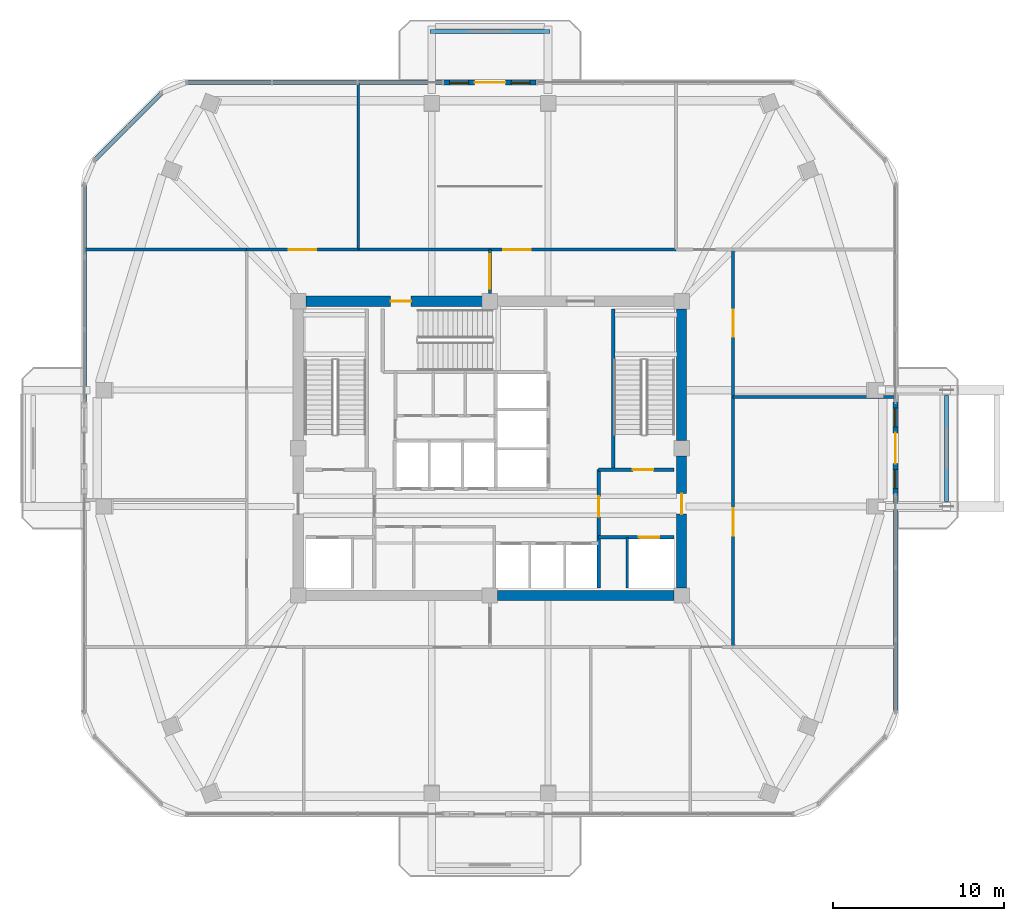
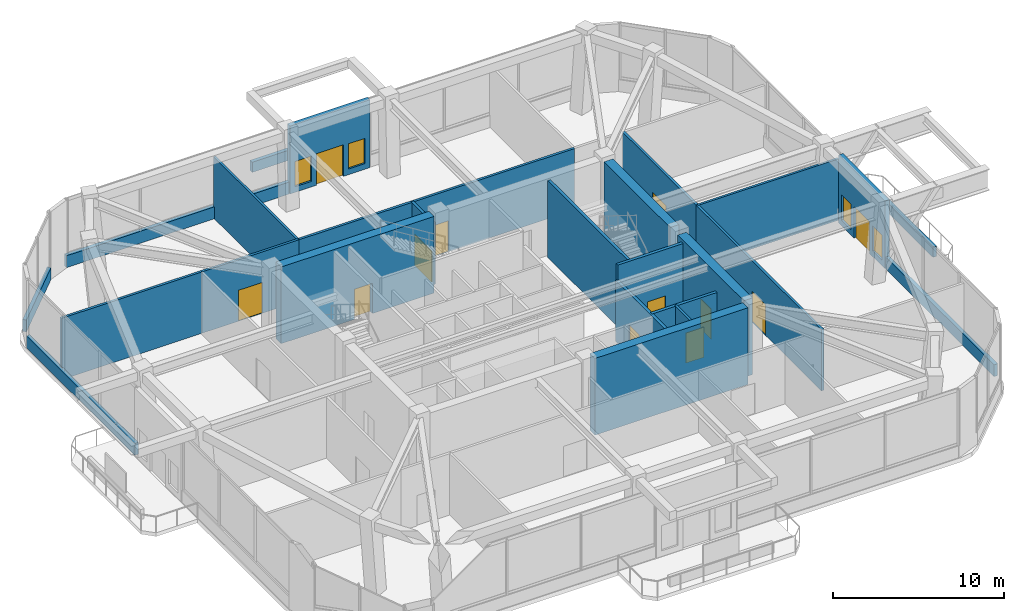
# One storey, part 10 of 14: 25 walls, 12 doors, 4 windows, 16 openings.
"""IFC4 building model written with IfcOpenShell, lengths in metres."""

from ifc_helpers import new_model, si_unit, derived_unit, direction, frame, frame_2d, origin, place, context, subcontext, project, spatial, rectangle, extrude, material, layer, layer_set, type_object, element, fill, save


model = new_model("IFC4")

# Units and contexts
model_context = context("Model", 3, precision=1e-05, world=origin(), true_north=direction((0.0, 1.0)))
body_context = subcontext(model_context, "Body", "Model", "MODEL_VIEW")
ifc_project = project(units=[si_unit("LENGTHUNIT", "METRE"), si_unit("AREAUNIT", "SQUARE_METRE"), si_unit("VOLUMEUNIT", "CUBIC_METRE"), si_unit("PLANEANGLEUNIT", "RADIAN"), si_unit("MASSUNIT", "GRAM", prefix="KILO"), derived_unit("THERMALTRANSMITTANCEUNIT", [(si_unit("POWERUNIT", "WATT"), 1), (si_unit("LENGTHUNIT", "METRE"), -2), (si_unit("THERMODYNAMICTEMPERATUREUNIT", "KELVIN"), -1)])], contexts=[model_context])

# Site, building, storey
site_placement = place(None, origin())
site = spatial("IfcSite", under=ifc_project, at=site_placement, CompositionType="ELEMENT")
building_placement = place(site_placement, origin())
building = spatial("IfcBuilding", under=site, at=building_placement, Name="Koralith Skygarden Medical Center", CompositionType="ELEMENT")
storey_placement = place(building_placement, frame((0.0, 0.0, 182.699951171875)))
storey = spatial("IfcBuildingStorey", under=building, at=storey_placement, Name="L47", CompositionType="ELEMENT", Elevation=182.699951171875)

# Walls
ifc_material_1 = material(Name="Gypsum Board Partition")
ifc_layer_1 = layer(ifc_material_1, 0.14990234375)
ifc_layer_set_1 = layer_set([ifc_layer_1], Name="Gypsum Board Partition")
wall_type_1 = type_object("IfcWallType", Name="Clinical Acoustic Partition 150", PredefinedType="PARTITIONING", material=ifc_layer_set_1)
wall_1_placement = place(storey_placement, frame((29.297119140625, 37.510009765625, 0.0), z_axis=(0.0, 0.0, 1.0), x_axis=(0.0, 1.0, 0.0)))
element("IfcWall", 1, at=wall_1_placement, inside=storey, type_object=wall_type_1, Name="L47 Clinical Acoustic Partition 150 W-AMPART-L47-N-1", PredefinedType="PARTITIONING", context=body_context, shape_type="SweptSolid", body=[
    extrude(rectangle(XDim=9.740966796875, YDim=0.14990234375, at=frame_2d((4.87060546875, 0.0))), origin(), (0.0, 0.0, 1.0), 4.3701171875),
])
wall_2_placement = place(storey_placement, frame((51.2099609375, 28.89990234375, 0.0), z_axis=(0.0, 0.0, 1.0), x_axis=(1.0, 0.0, 0.0)))
element("IfcWall", 2, at=wall_2_placement, inside=storey, type_object=wall_type_1, Name="L47 Clinical Acoustic Partition 150 W-AMPART-L47-E-1", PredefinedType="PARTITIONING", context=body_context, shape_type="SweptSolid", body=[
    extrude(rectangle(XDim=9.467041015625, YDim=0.14990234375, at=frame_2d((4.7333984375, 0.0))), origin(), (0.0, 0.0, 1.0), 4.3701171875),
])
ifc_layer_2 = layer(ifc_material_1, 0.1650390625)
ifc_layer_set_2 = layer_set([ifc_layer_2], Name="Gypsum Board Partition")
wall_type_2 = type_object("IfcWallType", Name="Clinical Corridor Partition 165", PredefinedType="PARTITIONING", material=ifc_layer_set_2)
wall_3_placement = place(storey_placement, frame((13.322998046875, 37.510009765625, 0.0), z_axis=(0.0, 0.0, 1.0), x_axis=(1.0, 0.0, 0.0)))
element("IfcWall", 3, at=wall_3_placement, inside=storey, type_object=wall_type_2, Name="L47 Clinical Corridor Partition 165 W-WB-L47-NW", PredefinedType="PARTITIONING", context=body_context, shape_type="SweptSolid", body=[
    extrude(rectangle(XDim=9.467041015625, YDim=0.1650390625, at=frame_2d((4.7333984375, 0.0))), origin(), (0.0, 0.0, 1.0), 4.3701171875),
])

# Wall, opening, door
wall_4_placement = place(storey_placement, frame((22.7900390625, 37.510009765625, 0.0), z_axis=(0.0, 0.0, 1.0), x_axis=(1.0, 0.0, 0.0)))
wall_4 = element("IfcWall", 4, at=wall_4_placement, inside=storey, type_object=wall_type_2, Name="L47 Clinical Corridor Partition 165 W-AMCOR-L47-N-1", PredefinedType="PARTITIONING", context=body_context, shape_type="SweptSolid", body=[
    extrude(rectangle(XDim=6.507080078125, YDim=0.1650390625, at=frame_2d((3.25341796875, 0.0))), origin(), (0.0, 0.0, 1.0), 4.3701171875),
])
opening_1_placement = place(wall_4_placement, frame((2.4541015625, 0.0, 0.0)))
opening_1 = element("IfcOpeningElement", 5, at=opening_1_placement, cuts=wall_4, Name="Opening D-DBL", PredefinedType="OPENING", context=body_context, shape_type="SweptSolid", body=[
    extrude(rectangle(XDim=1.60009765625, YDim=2.199951171875, at=frame_2d((0.800048828125, 1.10009765625))), frame((0.0, 0.092529296875, 0.0), z_axis=(0.0, -1.0, 0.0), x_axis=(1.0, 0.0, 0.0)), (0.0, 0.0, 1.0), 0.18505859375),
])
ifc_material_2 = material(Name="Aluminium 6063-T6", Category="aluminium")
door_type_1 = type_object("IfcDoorType", Name="Double Clinical Suite Door D-DBL 1600", OperationType="NOTDEFINED", PredefinedType="DOOR", material=ifc_material_2)
door_1_placement = place(opening_1_placement, origin())
door_1 = element("IfcDoor", 6, at=door_1_placement, inside=storey, type_object=door_type_1, Name="L47 Upper Sky-Lobby Concierge Hall Door", OperationType="DOUBLE_DOOR_SINGLE_SWING", OverallHeight=2.199951171875, OverallWidth=1.60009765625, PredefinedType="DOOR", context=body_context, shape_type="SweptSolid", body=[
    extrude(rectangle(XDim=1.60009765625, YDim=2.199951171875, at=frame_2d((0.800048828125, 1.10009765625))), frame((0.0, 0.02490234375, 0.0), z_axis=(0.0, -1.0, 0.0), x_axis=(1.0, 0.0, 0.0)), (0.0, 0.0, 1.0), 0.050048828125),
])
fill(opening_1, door_1)

wall_5_placement = place(storey_placement, frame((29.297119140625, 37.510009765625, 0.0), z_axis=(0.0, 0.0, 1.0), x_axis=(1.0, 0.0, 0.0)))
wall_5 = element("IfcWall", 7, at=wall_5_placement, inside=storey, type_object=wall_type_2, Name="L47 Clinical Corridor Partition 165 W-AMCOR-L47-N-2", PredefinedType="PARTITIONING", context=body_context, shape_type="SweptSolid", body=[
    extrude(rectangle(XDim=18.577880859375, YDim=0.1650390625, at=frame_2d((9.2890625, 0.0))), origin(), (0.0, 0.0, 1.0), 4.3701171875),
])
opening_2_placement = place(wall_5_placement, frame((8.489013671875, 0.0, 0.0)))
opening_2 = element("IfcOpeningElement", 8, at=opening_2_placement, cuts=wall_5, Name="Opening D-DBL", PredefinedType="OPENING", context=body_context, shape_type="SweptSolid", body=[
    extrude(rectangle(XDim=1.60009765625, YDim=2.199951171875, at=frame_2d((0.800048828125, 1.10009765625))), frame((0.0, 0.092529296875, 0.0), z_axis=(0.0, -1.0, 0.0), x_axis=(1.0, 0.0, 0.0)), (0.0, 0.0, 1.0), 0.18505859375),
])
door_2_placement = place(opening_2_placement, origin())
door_2 = element("IfcDoor", 9, at=door_2_placement, inside=storey, type_object=door_type_1, Name="L47 Upper Biophilic Sky-Garden Lounge Door", OperationType="DOUBLE_DOOR_SINGLE_SWING", OverallHeight=2.199951171875, OverallWidth=1.60009765625, PredefinedType="DOOR", context=body_context, shape_type="SweptSolid", body=[
    extrude(rectangle(XDim=1.60009765625, YDim=2.199951171875, at=frame_2d((0.800048828125, 1.10009765625))), frame((0.0, 0.02490234375, 0.0), z_axis=(0.0, -1.0, 0.0), x_axis=(1.0, 0.0, 0.0)), (0.0, 0.0, 1.0), 0.050048828125),
])
fill(opening_2, door_2)

wall_6_placement = place(storey_placement, frame((51.2099609375, 14.2900390625, 0.0), z_axis=(0.0, 0.0, 1.0), x_axis=(0.0, 1.0, 0.0)))
wall_6 = element("IfcWall", 10, at=wall_6_placement, inside=storey, type_object=wall_type_2, Name="L47 Clinical Corridor Partition 165 W-AMCOR-L47-E-1", PredefinedType="PARTITIONING", context=body_context, shape_type="SweptSolid", body=[
    extrude(rectangle(XDim=14.60986328125, YDim=0.1650390625, at=frame_2d((7.304931640625, 0.0))), origin(), (0.0, 0.0, 1.0), 4.3701171875),
])
opening_3_placement = place(wall_6_placement, frame((6.5048828125, 0.0, 0.0)))
opening_3 = element("IfcOpeningElement", 11, at=opening_3_placement, cuts=wall_6, Name="Opening D-DBL", PredefinedType="OPENING", context=body_context, shape_type="SweptSolid", body=[
    extrude(rectangle(XDim=1.60009765625, YDim=2.199951171875, at=frame_2d((0.800048828125, 1.10009765625))), frame((0.0, 0.092529296875, 0.0), z_axis=(0.0, -1.0, 0.0), x_axis=(1.0, 0.0, 0.0)), (0.0, 0.0, 1.0), 0.18505859375),
])
door_3_placement = place(opening_3_placement, origin())
door_3 = element("IfcDoor", 12, at=door_3_placement, inside=storey, type_object=door_type_1, Name="L47 East Sky-Garden Verandah Lounge Door", OperationType="DOUBLE_DOOR_SINGLE_SWING", OverallHeight=2.199951171875, OverallWidth=1.60009765625, PredefinedType="DOOR", context=body_context, shape_type="SweptSolid", body=[
    extrude(rectangle(XDim=1.60009765625, YDim=2.199951171875, at=frame_2d((0.800048828125, 1.10009765625))), frame((0.0, 0.02490234375, 0.0), z_axis=(0.0, -1.0, 0.0), x_axis=(1.0, 0.0, 0.0)), (0.0, 0.0, 1.0), 0.050048828125),
])
fill(opening_3, door_3)

wall_7_placement = place(storey_placement, frame((51.2099609375, 28.89990234375, 0.0), z_axis=(0.0, 0.0, 1.0), x_axis=(0.0, 1.0, 0.0)))
wall_7 = element("IfcWall", 13, at=wall_7_placement, inside=storey, type_object=wall_type_2, Name="L47 Clinical Corridor Partition 165 W-AMCOR-L47-E-2", PredefinedType="PARTITIONING", context=body_context, shape_type="SweptSolid", body=[
    extrude(rectangle(XDim=8.610107421875, YDim=0.1650390625, at=frame_2d((4.30517578125, 0.0))), origin(), (0.0, 0.0, 1.0), 4.3701171875),
])
opening_4_placement = place(wall_7_placement, frame((3.5048828125, 0.0, 0.0)))
opening_4 = element("IfcOpeningElement", 14, at=opening_4_placement, cuts=wall_7, Name="Opening D-DBL", PredefinedType="OPENING", context=body_context, shape_type="SweptSolid", body=[
    extrude(rectangle(XDim=1.60009765625, YDim=2.199951171875, at=frame_2d((0.800048828125, 1.10009765625))), frame((0.0, 0.092529296875, 0.0), z_axis=(0.0, -1.0, 0.0), x_axis=(1.0, 0.0, 0.0)), (0.0, 0.0, 1.0), 0.18505859375),
])
door_4_placement = place(opening_4_placement, origin())
door_4 = element("IfcDoor", 15, at=door_4_placement, inside=storey, type_object=door_type_1, Name="L47 Resident Teaching Huddle Room Door", OperationType="DOUBLE_DOOR_SINGLE_SWING", OverallHeight=2.199951171875, OverallWidth=1.60009765625, PredefinedType="DOOR", context=body_context, shape_type="SweptSolid", body=[
    extrude(rectangle(XDim=1.60009765625, YDim=2.199951171875, at=frame_2d((0.800048828125, 1.10009765625))), frame((0.0, 0.02490234375, 0.0), z_axis=(0.0, -1.0, 0.0), x_axis=(1.0, 0.0, 0.0)), (0.0, 0.0, 1.0), 0.050048828125),
])
fill(opening_4, door_4)

ifc_layer_3 = layer(ifc_material_1, 0.199951171875)
ifc_layer_set_3 = layer_set([ifc_layer_3], Name="Gypsum Board Partition")
wall_type_3 = type_object("IfcWallType", Name="Fire Shaft Wall 200", PredefinedType="SOLIDWALL", material=ifc_layer_set_3)
wall_8_placement = place(storey_placement, frame((43.35009765625, 20.699951171875, 0.0), z_axis=(0.0, 0.0, 1.0), x_axis=(1.0, 0.0, 0.0)))
wall_8 = element("IfcWall", 16, at=wall_8_placement, inside=storey, type_object=wall_type_3, Name="L47 Fire Shaft Wall 200 W-CORE-L47-FF2-N", PredefinedType="SOLIDWALL", context=body_context, shape_type="SweptSolid", body=[
    extrude(rectangle(XDim=4.39990234375, YDim=0.199951171875, at=frame_2d((2.199951171875, 0.0))), origin(), (0.0, 0.0, 1.0), 4.3701171875),
])
opening_5_placement = place(wall_8_placement, frame((2.35009765625, 0.0, 0.0)))
opening_5 = element("IfcOpeningElement", 17, at=opening_5_placement, cuts=wall_8, Name="Opening LD-FF", PredefinedType="OPENING", context=body_context, shape_type="SweptSolid", body=[
    extrude(rectangle(XDim=1.199951171875, YDim=2.14990234375, at=frame_2d((0.60009765625, 1.074951171875))), frame((0.0, 0.10986328125, 0.0), z_axis=(0.0, -1.0, 0.0), x_axis=(1.0, 0.0, 0.0)), (0.0, 0.0, 1.0), 0.219970703125),
])
ifc_material_3 = material(Name="Steel ASTM A500 Grade C", Category="steel")
door_type_2 = type_object("IfcDoorType", Name="Fire Lift Sliding Landing Door LD-FF 1200", OperationType="NOTDEFINED", PredefinedType="DOOR", material=ifc_material_3)
door_5_placement = place(opening_5_placement, origin())
door_5 = element("IfcDoor", 18, at=door_5_placement, inside=storey, type_object=door_type_2, Name="L47 Fire Service Elevator FF2 Landing Door", OperationType="SLIDING_TO_RIGHT", OverallHeight=2.14990234375, OverallWidth=1.199951171875, PredefinedType="DOOR", context=body_context, shape_type="SweptSolid", body=[
    extrude(rectangle(XDim=1.199951171875, YDim=2.14990234375, at=frame_2d((0.60009765625, 1.074951171875))), frame((0.0, 0.02490234375, 0.0), z_axis=(0.0, -1.0, 0.0), x_axis=(1.0, 0.0, 0.0)), (0.0, 0.0, 1.0), 0.050048828125),
])
fill(opening_5, door_5)

wall_9_placement = place(storey_placement, frame((43.35009765625, 17.75, 0.0), z_axis=(0.0, 0.0, 1.0), x_axis=(0.0, 1.0, 0.0)))
wall_9 = element("IfcWall", 19, at=wall_9_placement, inside=storey, type_object=wall_type_3, Name="L47 Fire Shaft Wall 200 W-CORE-L47-FSAEE-W", PredefinedType="SOLIDWALL", context=body_context, shape_type="SweptSolid", body=[
    extrude(rectangle(XDim=6.89990234375, YDim=0.199951171875, at=frame_2d((3.449951171875, 0.0))), origin(), (0.0, 0.0, 1.0), 4.3701171875),
])
opening_6_placement = place(wall_9_placement, frame((4.14990234375, 0.0, 0.0)))
opening_6 = element("IfcOpeningElement", 20, at=opening_6_placement, cuts=wall_9, Name="Opening D-ST60", PredefinedType="OPENING", context=body_context, shape_type="SweptSolid", body=[
    extrude(rectangle(XDim=1.199951171875, YDim=2.14990234375, at=frame_2d((0.60009765625, 1.074951171875))), frame((0.0, 0.10986328125, 0.0), z_axis=(0.0, -1.0, 0.0), x_axis=(1.0, 0.0, 0.0)), (0.0, 0.0, 1.0), 0.219970703125),
])
door_type_3 = type_object("IfcDoorType", Name="Smokeproof Stair Fire Door FD60S 1200", OperationType="NOTDEFINED", PredefinedType="DOOR", material=ifc_material_3)
door_6_placement = place(opening_6_placement, frame((1.199951171875, 0.0, 0.0), z_axis=(0.0, 0.0, 1.0), x_axis=(-1.0, 0.0, 0.0)))
door_6 = element("IfcDoor", 21, at=door_6_placement, inside=storey, type_object=door_type_3, Name="L47 East Firefighting Lobby Inner Fire Door", OperationType="SINGLE_SWING_RIGHT", OverallHeight=2.14990234375, OverallWidth=1.199951171875, PredefinedType="DOOR", context=body_context, shape_type="SweptSolid", body=[
    extrude(rectangle(XDim=1.199951171875, YDim=2.14990234375, at=frame_2d((0.60009765625, 1.074951171875))), frame((0.0, 0.02490234375, 0.0), z_axis=(0.0, -1.0, 0.0), x_axis=(1.0, 0.0, 0.0)), (0.0, 0.0, 1.0), 0.050048828125),
])
fill(opening_6, door_6)

ifc_layer_4 = layer(ifc_material_1, 0.179931640625)
ifc_layer_set_4 = layer_set([ifc_layer_4], Name="Gypsum Board Partition")
wall_type_4 = type_object("IfcWallType", Name="Group I-2 Smoke Barrier Wall 180", PredefinedType="PARTITIONING", material=ifc_layer_set_4)
wall_10_placement = place(storey_placement, frame((37.0, 34.949951171875, 0.0), z_axis=(0.0, 0.0, 1.0), x_axis=(0.0, 1.0, 0.0)))
wall_10 = element("IfcWall", 22, at=wall_10_placement, inside=storey, type_object=wall_type_4, Name="L47 Group I-2 Smoke Barrier Wall 180 W-SMK-L47-N", PredefinedType="PARTITIONING", context=body_context, shape_type="SweptSolid", body=[
    extrude(rectangle(XDim=2.56005859375, YDim=0.179931640625, at=frame_2d((1.280029296875, 0.0))), origin(), (0.0, 0.0, 1.0), 4.3701171875),
])
opening_7_placement = place(wall_10_placement, frame((0.280029296875, 0.0, 0.0)))
opening_7 = element("IfcOpeningElement", 23, at=opening_7_placement, cuts=wall_10, Name="Opening D-SMK", PredefinedType="OPENING", context=body_context, shape_type="SweptSolid", body=[
    extrude(rectangle(XDim=2.0, YDim=2.199951171875, at=frame_2d((1.0, 1.10009765625))), frame((0.0, 0.099853515625, 0.0), z_axis=(0.0, -1.0, 0.0), x_axis=(1.0, 0.0, 0.0)), (0.0, 0.0, 1.0), 0.199951171875),
])
door_type_4 = type_object("IfcDoorType", Name="Cross-Corridor Double Smoke Door FD60S 2000", OperationType="NOTDEFINED", PredefinedType="DOOR", material=ifc_material_3)
door_7_placement = place(opening_7_placement, origin())
door_7 = element("IfcDoor", 24, at=door_7_placement, inside=storey, type_object=door_type_4, Name="L47 N Smoke Compartment Cross-Corridor Door", OperationType="DOUBLE_DOOR_SINGLE_SWING", OverallHeight=2.199951171875, OverallWidth=2.0, PredefinedType="DOOR", context=body_context, shape_type="SweptSolid", body=[
    extrude(rectangle(XDim=2.0, YDim=2.199951171875, at=frame_2d((1.0, 1.10009765625))), frame((0.0, 0.02490234375, 0.0), z_axis=(0.0, -1.0, 0.0), x_axis=(1.0, 0.0, 0.0)), (0.0, 0.0, 1.0), 0.050048828125),
])
fill(opening_7, door_7)

# Walls
ifc_material_4 = material(Name="Warm Oolitic Limestone Cladding", Category="masonry")
ifc_layer_5 = layer(ifc_material_4, 0.239990234375)
ifc_layer_set_5 = layer_set([ifc_layer_5], Name="Warm Oolitic Limestone Cladding")
wall_type_5 = type_object("IfcWallType", Name="Limestone Spandrel Sill Backup Wall 240", PredefinedType="SOLIDWALL", material=ifc_layer_set_5)
wall_11_placement = place(storey_placement, frame((60.697021484375, 10.5048828125, 0.0), z_axis=(0.0, 0.0, 1.0), x_axis=(0.0, 1.0, 0.0)))
element("IfcWall", 25, at=wall_11_placement, inside=storey, type_object=wall_type_5, Name="L47 Sill Spandrel E-L", PredefinedType="SOLIDWALL", context=body_context, shape_type="SweptSolid", body=[
    extrude(rectangle(XDim=12.655029296875, YDim=0.239990234375, at=frame_2d((6.32763671875, 0.0))), origin(), (0.0, 0.0, 1.0), 0.85009765625),
])
wall_12_placement = place(storey_placement, frame((34.260986328125, 47.27001953125, 0.0), z_axis=(0.0, 0.0, 1.0), x_axis=(-1.0, 0.0, 0.0)))
element("IfcWall", 26, at=wall_12_placement, inside=storey, type_object=wall_type_5, Name="L47 Sill Spandrel N-R", PredefinedType="SOLIDWALL", context=body_context, shape_type="SweptSolid", body=[
    extrude(rectangle(XDim=14.98291015625, YDim=0.239990234375, at=frame_2d((7.491455078125, 0.0))), origin(), (0.0, 0.0, 1.0), 0.85009765625),
])
wall_13_placement = place(storey_placement, frame((17.826904296875, 46.6689453125, 0.0), z_axis=(0.0, 0.0, 1.0), x_axis=(-0.707106781187, -0.707106781187, 0.0)))
element("IfcWall", 27, at=wall_13_placement, inside=storey, type_object=wall_type_5, Name="L47 Sill Spandrel NW", PredefinedType="SOLIDWALL", context=body_context, shape_type="SweptSolid", body=[
    extrude(rectangle(XDim=5.5478515625, YDim=0.239990234375, at=frame_2d((2.77392578125, 0.0))), origin(), (0.0, 0.0, 1.0), 0.85009765625),
])
wall_14_placement = place(storey_placement, frame((13.302978515625, 41.294921875, 0.0), z_axis=(0.0, 0.0, 1.0), x_axis=(0.0, -1.0, 0.0)))
element("IfcWall", 28, at=wall_14_placement, inside=storey, type_object=wall_type_5, Name="L47 Sill Spandrel W-L", PredefinedType="SOLIDWALL", context=body_context, shape_type="SweptSolid", body=[
    extrude(rectangle(XDim=12.655029296875, YDim=0.239990234375, at=frame_2d((6.32763671875, 0.0))), origin(), (0.0, 0.0, 1.0), 0.85009765625),
])

# Wall, openings, door, windows
ifc_layer_6 = layer(ifc_material_4, 0.300048828125)
ifc_layer_set_6 = layer_set([ifc_layer_6], Name="Warm Oolitic Limestone Cladding")
wall_type_6 = type_object("IfcWallType", Name="Oolitic Limestone Insulated Facade Wall 300", PredefinedType="SOLIDWALL", material=ifc_layer_set_6)
wall_15_placement = place(storey_placement, frame((60.697021484375, 23.199951171875, 0.0), z_axis=(0.0, 0.0, 1.0), x_axis=(0.0, 1.0, 0.0)))
wall_15 = element("IfcWall", 29, at=wall_15_placement, inside=storey, type_object=wall_type_6, Name="L47 Terrace Portal Wall E", PredefinedType="SOLIDWALL", context=body_context, shape_type="SweptSolid", body=[
    extrude(rectangle(XDim=5.400146484375, YDim=0.300048828125, at=frame_2d((2.7001953125, 0.0))), origin(), (0.0, 0.0, 1.0), 4.830078125),
])
opening_8_placement = place(wall_15_placement, frame((1.800048828125, 0.0, 0.0)))
opening_8 = element("IfcOpeningElement", 30, at=opening_8_placement, cuts=wall_15, Name="Opening D-SG", PredefinedType="OPENING", context=body_context, shape_type="SweptSolid", body=[
    extrude(rectangle(XDim=1.800048828125, YDim=2.25, at=frame_2d((0.89990234375, 1.125))), frame((0.0, 0.159912109375, 0.0), z_axis=(0.0, -1.0, 0.0), x_axis=(1.0, 0.0, 0.0)), (0.0, 0.0, 1.0), 0.320068359375),
])
opening_9_placement = place(wall_15_placement, frame((0.35009765625, 0.0, 0.39990234375)))
opening_9 = element("IfcOpeningElement", 31, at=opening_9_placement, cuts=wall_15, Name="Opening W-04", PredefinedType="OPENING", context=body_context, shape_type="SweptSolid", body=[
    extrude(rectangle(XDim=1.10009765625, YDim=1.800048828125, at=frame_2d((0.550048828125, 0.89990234375))), frame((0.0, 0.159912109375, 0.0), z_axis=(0.0, -1.0, 0.0), x_axis=(1.0, 0.0, 0.0)), (0.0, 0.0, 1.0), 0.320068359375),
])
opening_10_placement = place(wall_15_placement, frame((3.949951171875, 0.0, 0.39990234375)))
opening_10 = element("IfcOpeningElement", 32, at=opening_10_placement, cuts=wall_15, Name="Opening W-04", PredefinedType="OPENING", context=body_context, shape_type="SweptSolid", body=[
    extrude(rectangle(XDim=1.10009765625, YDim=1.800048828125, at=frame_2d((0.550048828125, 0.89990234375))), frame((0.0, 0.159912109375, 0.0), z_axis=(0.0, -1.0, 0.0), x_axis=(1.0, 0.0, 0.0)), (0.0, 0.0, 1.0), 0.320068359375),
])
door_type_5 = type_object("IfcDoorType", Name="Sky-Garden Double Terrace Door D-SG 1800", OperationType="NOTDEFINED", PredefinedType="DOOR", material=ifc_material_2)
door_8_placement = place(opening_8_placement, origin())
door_8 = element("IfcDoor", 33, at=door_8_placement, inside=storey, type_object=door_type_5, Name="L47 E Outdoor Terrace Access Door", OperationType="DOUBLE_DOOR_SINGLE_SWING", OverallHeight=2.25, OverallWidth=1.800048828125, PredefinedType="DOOR", context=body_context, shape_type="SweptSolid", body=[
    extrude(rectangle(XDim=1.800048828125, YDim=2.25, at=frame_2d((0.89990234375, 1.125))), frame((0.0, 0.02490234375, 0.0), z_axis=(0.0, -1.0, 0.0), x_axis=(1.0, 0.0, 0.0)), (0.0, 0.0, 1.0), 0.050048828125),
])
fill(opening_8, door_8)
ifc_material_5 = material(Name="Clear Laminated Glass", Category="glass")
window_type = type_object("IfcWindowType", Name="Sky-Garden Portal Sidelight Window W-04 1100x1800", PartitioningType="SINGLE_PANEL", PredefinedType="WINDOW", material=ifc_material_5)
window_1_placement = place(opening_9_placement, origin())
window_1 = element("IfcWindow", 34, at=window_1_placement, inside=storey, type_object=window_type, Name="L47 E Portal Sidelight 1", OverallHeight=1.800048828125, OverallWidth=1.10009765625, PartitioningType="SINGLE_PANEL", PredefinedType="WINDOW", context=body_context, shape_type="SweptSolid", body=[
    extrude(rectangle(XDim=1.10009765625, YDim=1.800048828125, at=frame_2d((0.550048828125, 0.89990234375))), frame((0.0, 0.030029296875, 0.0), z_axis=(0.0, -1.0, 0.0), x_axis=(1.0, 0.0, 0.0)), (0.0, 0.0, 1.0), 0.06005859375),
])
fill(opening_9, window_1)
window_2_placement = place(opening_10_placement, origin())
window_2 = element("IfcWindow", 35, at=window_2_placement, inside=storey, type_object=window_type, Name="L47 E Portal Sidelight 2", OverallHeight=1.800048828125, OverallWidth=1.10009765625, PartitioningType="SINGLE_PANEL", PredefinedType="WINDOW", context=body_context, shape_type="SweptSolid", body=[
    extrude(rectangle(XDim=1.10009765625, YDim=1.800048828125, at=frame_2d((0.550048828125, 0.89990234375))), frame((0.0, 0.030029296875, 0.0), z_axis=(0.0, -1.0, 0.0), x_axis=(1.0, 0.0, 0.0)), (0.0, 0.0, 1.0), 0.06005859375),
])
fill(opening_10, window_2)

wall_16_placement = place(storey_placement, frame((39.700927734375, 47.27001953125, 0.0), z_axis=(0.0, 0.0, 1.0), x_axis=(-1.0, 0.0, 0.0)))
wall_16 = element("IfcWall", 36, at=wall_16_placement, inside=storey, type_object=wall_type_6, Name="L47 Terrace Portal Wall N", PredefinedType="SOLIDWALL", context=body_context, shape_type="SweptSolid", body=[
    extrude(rectangle(XDim=5.39990234375, YDim=0.300048828125, at=frame_2d((2.699951171875, 0.0))), origin(), (0.0, 0.0, 1.0), 4.830078125),
])
opening_11_placement = place(wall_16_placement, frame((1.800048828125, 0.0, 0.0)))
opening_11 = element("IfcOpeningElement", 37, at=opening_11_placement, cuts=wall_16, Name="Opening D-SG", PredefinedType="OPENING", context=body_context, shape_type="SweptSolid", body=[
    extrude(rectangle(XDim=1.800048828125, YDim=2.25, at=frame_2d((0.89990234375, 1.125))), frame((0.0, 0.159912109375, 0.0), z_axis=(0.0, -1.0, 0.0), x_axis=(1.0, 0.0, 0.0)), (0.0, 0.0, 1.0), 0.320068359375),
])
opening_12_placement = place(wall_16_placement, frame((0.35009765625, 0.0, 0.39990234375)))
opening_12 = element("IfcOpeningElement", 38, at=opening_12_placement, cuts=wall_16, Name="Opening W-04", PredefinedType="OPENING", context=body_context, shape_type="SweptSolid", body=[
    extrude(rectangle(XDim=1.10009765625, YDim=1.800048828125, at=frame_2d((0.550048828125, 0.89990234375))), frame((0.0, 0.159912109375, 0.0), z_axis=(0.0, -1.0, 0.0), x_axis=(1.0, 0.0, 0.0)), (0.0, 0.0, 1.0), 0.320068359375),
])
opening_13_placement = place(wall_16_placement, frame((3.949951171875, 0.0, 0.39990234375)))
opening_13 = element("IfcOpeningElement", 39, at=opening_13_placement, cuts=wall_16, Name="Opening W-04", PredefinedType="OPENING", context=body_context, shape_type="SweptSolid", body=[
    extrude(rectangle(XDim=1.10009765625, YDim=1.800048828125, at=frame_2d((0.550048828125, 0.89990234375))), frame((0.0, 0.159912109375, 0.0), z_axis=(0.0, -1.0, 0.0), x_axis=(1.0, 0.0, 0.0)), (0.0, 0.0, 1.0), 0.320068359375),
])
door_9_placement = place(opening_11_placement, origin())
door_9 = element("IfcDoor", 40, at=door_9_placement, inside=storey, type_object=door_type_5, Name="L47 N Outdoor Terrace Access Door", OperationType="DOUBLE_DOOR_SINGLE_SWING", OverallHeight=2.25, OverallWidth=1.800048828125, PredefinedType="DOOR", context=body_context, shape_type="SweptSolid", body=[
    extrude(rectangle(XDim=1.800048828125, YDim=2.25, at=frame_2d((0.89990234375, 1.125))), frame((0.0, 0.02490234375, 0.0), z_axis=(0.0, -1.0, 0.0), x_axis=(1.0, 0.0, 0.0)), (0.0, 0.0, 1.0), 0.050048828125),
])
fill(opening_11, door_9)
window_3_placement = place(opening_12_placement, origin())
window_3 = element("IfcWindow", 41, at=window_3_placement, inside=storey, type_object=window_type, Name="L47 N Portal Sidelight 1", OverallHeight=1.800048828125, OverallWidth=1.10009765625, PartitioningType="SINGLE_PANEL", PredefinedType="WINDOW", context=body_context, shape_type="SweptSolid", body=[
    extrude(rectangle(XDim=1.10009765625, YDim=1.800048828125, at=frame_2d((0.550048828125, 0.89990234375))), frame((0.0, 0.030029296875, 0.0), z_axis=(0.0, -1.0, 0.0), x_axis=(1.0, 0.0, 0.0)), (0.0, 0.0, 1.0), 0.06005859375),
])
fill(opening_12, window_3)
window_4_placement = place(opening_13_placement, origin())
window_4 = element("IfcWindow", 42, at=window_4_placement, inside=storey, type_object=window_type, Name="L47 N Portal Sidelight 2", OverallHeight=1.800048828125, OverallWidth=1.10009765625, PartitioningType="SINGLE_PANEL", PredefinedType="WINDOW", context=body_context, shape_type="SweptSolid", body=[
    extrude(rectangle(XDim=1.10009765625, YDim=1.800048828125, at=frame_2d((0.550048828125, 0.89990234375))), frame((0.0, 0.030029296875, 0.0), z_axis=(0.0, -1.0, 0.0), x_axis=(1.0, 0.0, 0.0)), (0.0, 0.0, 1.0), 0.06005859375),
])
fill(opening_13, window_4)

# Walls
ifc_layer_7 = layer(ifc_material_1, 0.14990234375)
ifc_layer_set_7 = layer_set([ifc_layer_7], Name="Gypsum Board Partition")
wall_type_7 = type_object("IfcWallType", Name="Shaft Partition Wall 150", PredefinedType="PARTITIONING", material=ifc_layer_set_7)
wall_17_placement = place(storey_placement, frame((45.02001953125, 17.75, 0.0), z_axis=(0.0, 0.0, 1.0), x_axis=(0.0, 1.0, 0.0)))
element("IfcWall", 43, at=wall_17_placement, inside=storey, type_object=wall_type_7, Name="L47 Shaft Partition Wall 150 W-CORE-L47-RSRE-DIV", PredefinedType="PARTITIONING", context=body_context, shape_type="SweptSolid", body=[
    extrude(rectangle(XDim=2.949951171875, YDim=0.14990234375, at=frame_2d((1.47509765625, 0.0))), origin(), (0.0, 0.0, 1.0), 4.3701171875),
])
ifc_material_6 = material(Name="Precast concrete C40/50", Category="concrete")
ifc_layer_8 = layer(ifc_material_6, 0.25)
ifc_layer_set_8 = layer_set([ifc_layer_8], Name="Precast concrete C40/50")
wall_type_8 = type_object("IfcWallType", Name="Structural Concrete Balcony Planter Kerb 250", PredefinedType="PARAPET", material=ifc_layer_set_8)
wall_18_placement = place(storey_placement, frame((33.5, 50.2509765625, 0.0), z_axis=(0.0, 0.0, 1.0), x_axis=(1.0, 0.0, 0.0)))
element("IfcWall", 44, at=wall_18_placement, inside=storey, type_object=wall_type_8, Name="L47 N Structural Tree PLANTER Box", PredefinedType="PARAPET", context=body_context, shape_type="SweptSolid", body=[
    extrude(rectangle(XDim=7.0, YDim=0.25, at=frame_2d((3.5, 0.0))), origin(), (0.0, 0.0, 1.0), 0.719970703125),
])
wall_19_placement = place(storey_placement, frame((63.677001953125, 22.800048828125, 0.0), z_axis=(0.0, 0.0, 1.0), x_axis=(0.0, 1.0, 0.0)))
element("IfcWall", 45, at=wall_19_placement, inside=storey, type_object=wall_type_8, Name="L47 E Structural Tree PLANTER Box", PredefinedType="PARAPET", context=body_context, shape_type="SweptSolid", body=[
    extrude(rectangle(XDim=6.199951171875, YDim=0.25, at=frame_2d((3.10009765625, 0.0))), origin(), (0.0, 0.0, 1.0), 0.719970703125),
])
ifc_material_7 = material(Name="Concrete C45/55", Category="concrete")
ifc_layer_9 = layer(ifc_material_7, 0.199951171875)
ifc_layer_set_9 = layer_set([ifc_layer_9], Name="Concrete C45/55")
wall_type_9 = type_object("IfcWallType", Name="Structural Stair Shaft Wall 200", PredefinedType="SHEAR", material=ifc_layer_set_9)
wall_20_placement = place(storey_placement, frame((44.199951171875, 24.64990234375, 0.0), z_axis=(0.0, 0.0, 1.0), x_axis=(0.0, 1.0, 0.0)))
element("IfcWall", 46, at=wall_20_placement, inside=storey, type_object=wall_type_9, Name="L47 Structural Stair Shaft Wall 200 W-CORE-L47-ST2-W", PredefinedType="SHEAR", context=body_context, shape_type="SweptSolid", body=[
    extrude(rectangle(XDim=9.400146484375, YDim=0.199951171875, at=frame_2d((4.7001953125, 0.0))), origin(), (0.0, 0.0, 1.0), 5.4599609375),
])

# Wall, opening, door
wall_21_placement = place(storey_placement, frame((43.35009765625, 24.64990234375, 0.0), z_axis=(0.0, 0.0, 1.0), x_axis=(1.0, 0.0, 0.0)))
wall_21 = element("IfcWall", 47, at=wall_21_placement, inside=storey, type_object=wall_type_9, Name="L47 Structural Stair Shaft Wall 200 W-CORE-L47-ST2-S", PredefinedType="SHEAR", context=body_context, shape_type="SweptSolid", body=[
    extrude(rectangle(XDim=4.39990234375, YDim=0.199951171875, at=frame_2d((2.199951171875, 0.0))), origin(), (0.0, 0.0, 1.0), 5.4599609375),
])
opening_14_placement = place(wall_21_placement, frame((2.0, 0.0, 0.0)))
opening_14 = element("IfcOpeningElement", 48, at=opening_14_placement, cuts=wall_21, Name="Opening D-ST60", PredefinedType="OPENING", context=body_context, shape_type="SweptSolid", body=[
    extrude(rectangle(XDim=1.199951171875, YDim=2.14990234375, at=frame_2d((0.60009765625, 1.074951171875))), frame((0.0, 0.10986328125, 0.0), z_axis=(0.0, -1.0, 0.0), x_axis=(1.0, 0.0, 0.0)), (0.0, 0.0, 1.0), 0.219970703125),
])
door_10_placement = place(opening_14_placement, origin())
door_10 = element("IfcDoor", 49, at=door_10_placement, inside=storey, type_object=door_type_3, Name="L47 Exit Stair ST2 Fire Door", OperationType="SINGLE_SWING_RIGHT", OverallHeight=2.14990234375, OverallWidth=1.199951171875, PredefinedType="DOOR", context=body_context, shape_type="SweptSolid", body=[
    extrude(rectangle(XDim=1.199951171875, YDim=2.14990234375, at=frame_2d((0.60009765625, 1.074951171875))), frame((0.0, 0.02490234375, 0.0), z_axis=(0.0, -1.0, 0.0), x_axis=(1.0, 0.0, 0.0)), (0.0, 0.0, 1.0), 0.050048828125),
])
fill(opening_14, door_10)

# Wall
ifc_material_8 = material(Name="Concrete C55/67", Category="concrete")
ifc_layer_10 = layer(ifc_material_8, 0.60009765625)
ifc_layer_set_10 = layer_set([ifc_layer_10], Name="Concrete C55/67")
wall_type_10 = type_object("IfcWallType", Name="Upper Core Shear Wall 600", PredefinedType="SHEAR", material=ifc_layer_set_10)
wall_22_placement = place(storey_placement, frame((37.445068359375, 17.300048828125, 0.0), z_axis=(0.0, 0.0, 1.0), x_axis=(1.0, 0.0, 0.0)))
element("IfcWall", 50, at=wall_22_placement, inside=storey, type_object=wall_type_10, Name="L47 Core Shear Wall Segment 2", PredefinedType="SHEAR", context=body_context, shape_type="SweptSolid", body=[
    extrude(rectangle(XDim=10.309814453125, YDim=0.60009765625, at=frame_2d((5.15478515625, 0.0))), origin(), (0.0, 0.0, 1.0), 5.4599609375),
])

# Wall, opening, door
wall_23_placement = place(storey_placement, frame((48.199951171875, 17.7451171875, 0.0), z_axis=(0.0, 0.0, 1.0), x_axis=(0.0, 1.0, 0.0)))
wall_23 = element("IfcWall", 51, at=wall_23_placement, inside=storey, type_object=wall_type_10, Name="L47 Core Shear Wall Segment 3", PredefinedType="SHEAR", context=body_context, shape_type="SweptSolid", body=[
    extrude(rectangle(XDim=7.7099609375, YDim=0.60009765625, at=frame_2d((3.85498046875, 0.0))), origin(), (0.0, 0.0, 1.0), 5.4599609375),
])
opening_15_placement = place(wall_23_placement, frame((4.304931640625, 0.0, 0.0)))
opening_15 = element("IfcOpeningElement", 52, at=opening_15_placement, cuts=wall_23, Name="Opening D-ST60", PredefinedType="OPENING", context=body_context, shape_type="SweptSolid", body=[
    extrude(rectangle(XDim=1.199951171875, YDim=2.14990234375, at=frame_2d((0.60009765625, 1.074951171875))), frame((0.0, 0.31005859375, 0.0), z_axis=(0.0, -1.0, 0.0), x_axis=(1.0, 0.0, 0.0)), (0.0, 0.0, 1.0), 0.6201171875),
])
door_11_placement = place(opening_15_placement, frame((1.199951171875, 0.0, 0.0), z_axis=(0.0, 0.0, 1.0), x_axis=(-1.0, 0.0, 0.0)))
door_11 = element("IfcDoor", 53, at=door_11_placement, inside=storey, type_object=door_type_3, Name="L47 East Corridor to Firefighting Lobby Door", OperationType="SINGLE_SWING_RIGHT", OverallHeight=2.14990234375, OverallWidth=1.199951171875, PredefinedType="DOOR", context=body_context, shape_type="SweptSolid", body=[
    extrude(rectangle(XDim=1.199951171875, YDim=2.14990234375, at=frame_2d((0.60009765625, 1.074951171875))), frame((0.0, 0.02490234375, 0.0), z_axis=(0.0, -1.0, 0.0), x_axis=(1.0, 0.0, 0.0)), (0.0, 0.0, 1.0), 0.050048828125),
])
fill(opening_15, door_11)

# Wall
wall_24_placement = place(storey_placement, frame((48.199951171875, 26.344970703125, 0.0), z_axis=(0.0, 0.0, 1.0), x_axis=(0.0, 1.0, 0.0)))
element("IfcWall", 54, at=wall_24_placement, inside=storey, type_object=wall_type_10, Name="L47 Core Shear Wall Segment 4", PredefinedType="SHEAR", context=body_context, shape_type="SweptSolid", body=[
    extrude(rectangle(XDim=7.7099609375, YDim=0.60009765625, at=frame_2d((3.85498046875, 0.0))), origin(), (0.0, 0.0, 1.0), 5.4599609375),
])

# Wall, opening, door
wall_25_placement = place(storey_placement, frame((36.554931640625, 34.5, 0.0), z_axis=(0.0, 0.0, 1.0), x_axis=(-1.0, 0.0, 0.0)))
wall_25 = element("IfcWall", 55, at=wall_25_placement, inside=storey, type_object=wall_type_10, Name="L47 Core Shear Wall Segment 6", PredefinedType="SHEAR", context=body_context, shape_type="SweptSolid", body=[
    extrude(rectangle(XDim=10.309814453125, YDim=0.60009765625, at=frame_2d((5.15478515625, 0.0))), origin(), (0.0, 0.0, 1.0), 5.4599609375),
])
opening_16_placement = place(wall_25_placement, frame((4.155029296875, 0.0, 0.0)))
opening_16 = element("IfcOpeningElement", 56, at=opening_16_placement, cuts=wall_25, Name="Opening D-ST60", PredefinedType="OPENING", context=body_context, shape_type="SweptSolid", body=[
    extrude(rectangle(XDim=1.199951171875, YDim=2.14990234375, at=frame_2d((0.60009765625, 1.074951171875))), frame((0.0, 0.31005859375, 0.0), z_axis=(0.0, -1.0, 0.0), x_axis=(1.0, 0.0, 0.0)), (0.0, 0.0, 1.0), 0.6201171875),
])
door_12_placement = place(opening_16_placement, frame((1.199951171875, 0.0, 0.0), z_axis=(0.0, 0.0, 1.0), x_axis=(-1.0, 0.0, 0.0)))
door_12 = element("IfcDoor", 57, at=door_12_placement, inside=storey, type_object=door_type_3, Name="L47 Exit Stair ST3 Fire Door", OperationType="SINGLE_SWING_LEFT", OverallHeight=2.14990234375, OverallWidth=1.199951171875, PredefinedType="DOOR", context=body_context, shape_type="SweptSolid", body=[
    extrude(rectangle(XDim=1.199951171875, YDim=2.14990234375, at=frame_2d((0.60009765625, 1.074951171875))), frame((0.0, 0.02490234375, 0.0), z_axis=(0.0, -1.0, 0.0), x_axis=(1.0, 0.0, 0.0)), (0.0, 0.0, 1.0), 0.050048828125),
])
fill(opening_16, door_12)

save(model, "model.ifc")
